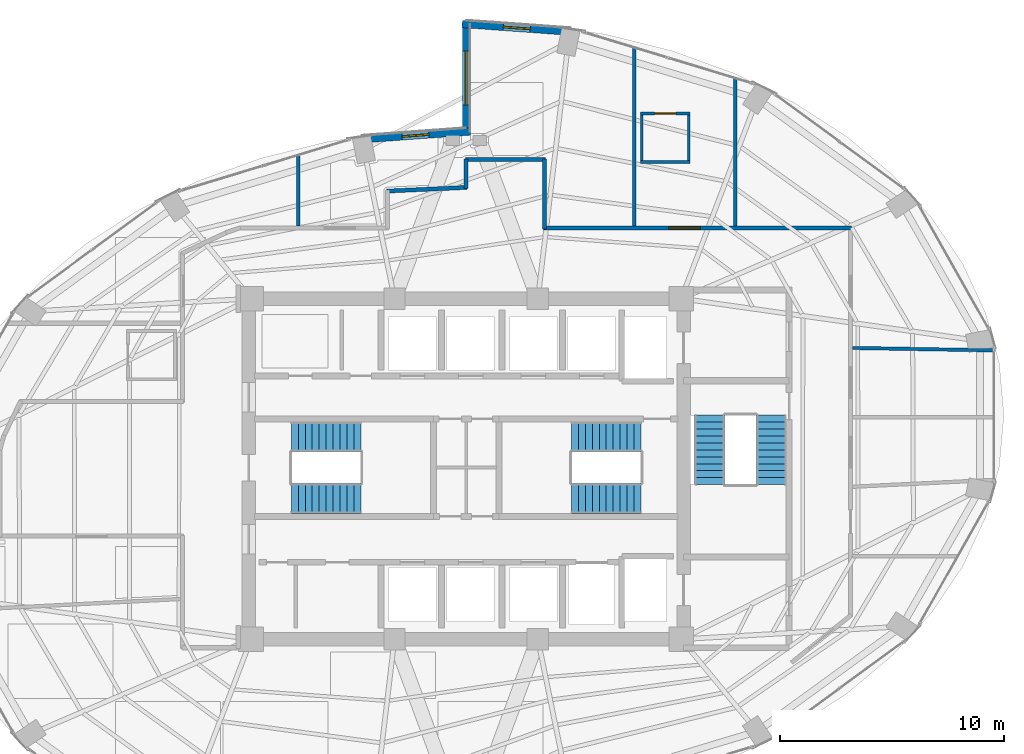
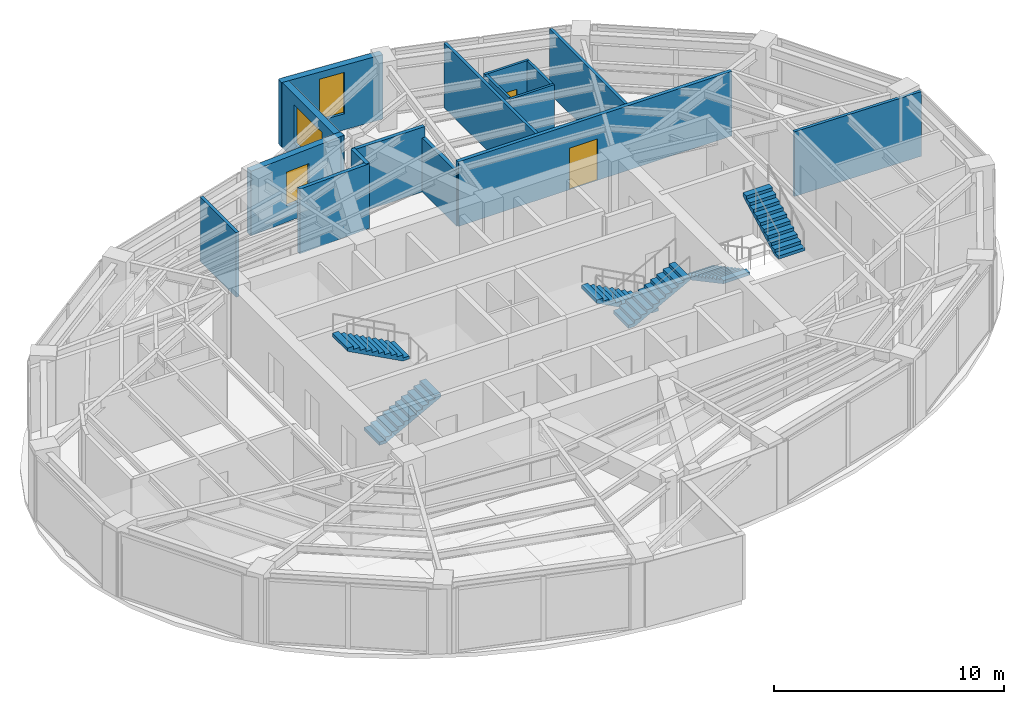
# One storey, part 18 of 20: 16 walls, 6 stair flights, 3 windows, 2 doors, 5 openings, 3 elements without a shape of their own.
"""IFC4 building model written with IfcOpenShell, lengths in metres."""

from ifc_helpers import new_model, si_unit, direction, frame, frame_2d, origin, place, context, subcontext, project, spatial, polyline, rectangle, outline, extrude, material, layer, layer_set, type_object, element, fill, aggregate, save


model = new_model("IFC4")

# Units and contexts
model_context = context("Model", 3, precision=1e-05, world=origin(), true_north=direction((0.0, 1.0)))
body_context = subcontext(model_context, "Body", "Model", "MODEL_VIEW")
ifc_project = project(units=[si_unit("LENGTHUNIT", "METRE"), si_unit("AREAUNIT", "SQUARE_METRE"), si_unit("VOLUMEUNIT", "CUBIC_METRE"), si_unit("PLANEANGLEUNIT", "RADIAN"), si_unit("MASSUNIT", "GRAM", prefix="KILO")], contexts=[model_context])

# Site, building, storey
site_placement = place(None, origin())
site = spatial("IfcSite", under=ifc_project, at=site_placement, CompositionType="ELEMENT")
building_placement = place(site_placement, origin())
building = spatial("IfcBuilding", under=site, at=building_placement, Name="Lazwardi Medical Tower", CompositionType="ELEMENT")
storey_placement = place(building_placement, frame((0.0, 0.0, 141.93603515625)))
storey = spatial("IfcBuildingStorey", under=building, at=storey_placement, Name="L36", CompositionType="ELEMENT", Elevation=141.93603515625)

# Walls
ifc_material_1 = material(Name="Fire-rated gypsum board on steel stud", Category="steel")
ifc_layer_1 = layer(ifc_material_1, 0.179931640625)
ifc_layer_set_1 = layer_set([ifc_layer_1], Name="Fire-rated gypsum board on steel stud")
wall_type_1 = type_object("IfcWallType", Name="WL-COR-180", PredefinedType="PARTITIONING", material=ifc_layer_set_1)
wall_1_placement = place(storey_placement, frame((32.4599609375, 40.3974609375, 0.0), z_axis=(0.0, 0.0, 1.0), x_axis=(0.998948498694, 0.045846449783, 0.0)))
element("IfcWall", 1, at=wall_1_placement, inside=storey, type_object=wall_type_1, Name="L36 Corridor partition 8", PredefinedType="PARTITIONING", context=body_context, shape_type="SweptSolid", body=[
    extrude(rectangle(XDim=3.583740234375, YDim=0.179931640625, at=frame_2d((1.7919921875, 0.0))), origin(), (0.0, 0.0, 1.0), 3.427978515625),
])
wall_2_placement = place(storey_placement, frame((36.0, 40.52001953125, 0.0), z_axis=(0.0, 0.0, 1.0), x_axis=(0.0, 1.0, 0.0)))
element("IfcWall", 2, at=wall_2_placement, inside=storey, type_object=wall_type_1, Name="L36 Corridor partition 9", PredefinedType="PARTITIONING", context=body_context, shape_type="SweptSolid", body=[
    extrude(rectangle(XDim=1.320068359375, YDim=0.179931640625, at=frame_2d((0.66015625, 0.0))), origin(), (0.0, 0.0, 1.0), 3.427978515625),
])
wall_3_placement = place(storey_placement, frame((35.9599609375, 41.800048828125, 0.0), z_axis=(0.0, 0.0, 1.0), x_axis=(1.0, 0.0, 0.0)))
element("IfcWall", 3, at=wall_3_placement, inside=storey, type_object=wall_type_1, Name="L36 Corridor partition 10", PredefinedType="PARTITIONING", context=body_context, shape_type="SweptSolid", body=[
    extrude(rectangle(XDim=3.580078125, YDim=0.179931640625, at=frame_2d((1.7900390625, 0.0))), origin(), (0.0, 0.0, 1.0), 3.427978515625),
])
wall_4_placement = place(storey_placement, frame((39.5, 41.840087890625, 0.0), z_axis=(0.0, 0.0, 1.0), x_axis=(0.0, -1.0, 0.0)))
element("IfcWall", 4, at=wall_4_placement, inside=storey, type_object=wall_type_1, Name="L36 Corridor partition 11", PredefinedType="PARTITIONING", context=body_context, shape_type="SweptSolid", body=[
    extrude(rectangle(XDim=3.130126953125, YDim=0.179931640625, at=frame_2d((1.56494140625, 0.0))), origin(), (0.0, 0.0, 1.0), 2.863037109375),
])

# Wall, opening, door
wall_5_placement = place(storey_placement, frame((39.4599609375, 38.75, 0.0), z_axis=(0.0, 0.0, 1.0), x_axis=(1.0, 0.0, 0.0)))
wall_5 = element("IfcWall", 5, at=wall_5_placement, inside=storey, type_object=wall_type_1, Name="L36 Corridor partition 12", PredefinedType="PARTITIONING", context=body_context, shape_type="SweptSolid", body=[
    extrude(rectangle(XDim=13.72998046875, YDim=0.179931640625, at=frame_2d((6.864990234375, 0.0))), origin(), (0.0, 0.0, 1.0), 3.427978515625),
])
opening_1_placement = place(wall_5_placement, frame((5.590087890625, 0.0, 0.0)))
opening_1 = element("IfcOpeningElement", 6, at=opening_1_placement, cuts=wall_5, Name="Opening D-L36-021", PredefinedType="OPENING", context=body_context, shape_type="SweptSolid", body=[
    extrude(rectangle(XDim=1.39990234375, YDim=2.199951171875, at=frame_2d((0.699951171875, 1.10009765625))), frame((0.0, 0.099853515625, 0.0), z_axis=(0.0, -1.0, 0.0), x_axis=(1.0, 0.0, 0.0)), (0.0, 0.0, 1.0), 0.199951171875),
])
ifc_material_2 = material(Name="Anti-microbial laminate hospital leaf")
door_type_1 = type_object("IfcDoorType", Name="DR-BED-1400", OperationType="NOTDEFINED", PredefinedType="DOOR", material=ifc_material_2)
door_1_placement = place(opening_1_placement, origin())
door_1 = element("IfcDoor", 7, at=door_1_placement, inside=storey, type_object=door_type_1, Name="L36 Patient Bedroom Door 07", OperationType="SINGLE_SWING_LEFT", OverallHeight=2.199951171875, OverallWidth=1.39990234375, PredefinedType="DOOR", context=body_context, shape_type="SweptSolid", body=[
    extrude(rectangle(XDim=1.39990234375, YDim=2.199951171875, at=frame_2d((0.699951171875, 1.10009765625))), frame((0.0, 0.02490234375, 0.0), z_axis=(0.0, -1.0, 0.0), x_axis=(1.0, 0.0, 0.0)), (0.0, 0.0, 1.0), 0.050048828125),
])
fill(opening_1, door_1)

ifc_material_3 = material(Name="Moisture-resistant gypsum board partition")
ifc_layer_2 = layer(ifc_material_3, 0.125)
ifc_layer_set_2 = layer_set([ifc_layer_2], Name="Moisture-resistant gypsum board partition")
wall_type_2 = type_object("IfcWallType", Name="WL-ENS-125", PredefinedType="PARTITIONING", material=ifc_layer_set_2)
wall_6_placement = place(storey_placement, frame((43.77490234375, 43.86083984375, 0.0), z_axis=(0.0, 0.0, 1.0), x_axis=(1.0, 0.0, 0.0)))
wall_6 = element("IfcWall", 8, at=wall_6_placement, inside=storey, type_object=wall_type_2, Name="L36 En-suite wall 7N", PredefinedType="PARTITIONING", context=body_context, shape_type="SweptSolid", body=[
    extrude(rectangle(XDim=2.22021484375, YDim=0.125, at=frame_2d((1.110107421875, 0.0))), origin(), (0.0, 0.0, 1.0), 3.427978515625),
])
opening_2_placement = place(wall_6_placement, frame((0.635009765625, 0.0, 0.0)))
opening_2 = element("IfcOpeningElement", 9, at=opening_2_placement, cuts=wall_6, Name="Opening D-L36-006", PredefinedType="OPENING", context=body_context, shape_type="SweptSolid", body=[
    extrude(rectangle(XDim=0.949951171875, YDim=2.10009765625, at=frame_2d((0.47509765625, 1.050048828125))), frame((0.0, 0.072509765625, 0.0), z_axis=(0.0, -1.0, 0.0), x_axis=(1.0, 0.0, 0.0)), (0.0, 0.0, 1.0), 0.14501953125),
])
ifc_material_4 = material(Name="Moisture-resistant laminate door leaf")
door_type_2 = type_object("IfcDoorType", Name="DR-ENS-950", OperationType="NOTDEFINED", PredefinedType="DOOR", material=ifc_material_4)
door_2_placement = place(opening_2_placement, origin())
door_2 = element("IfcDoor", 10, at=door_2_placement, inside=storey, type_object=door_type_2, Name="L36 En-suite Door 07", OperationType="SINGLE_SWING_RIGHT", OverallHeight=2.10009765625, OverallWidth=0.949951171875, PredefinedType="DOOR", context=body_context, shape_type="SweptSolid", body=[
    extrude(rectangle(XDim=0.949951171875, YDim=2.10009765625, at=frame_2d((0.47509765625, 1.050048828125))), frame((0.0, 0.02490234375, 0.0), z_axis=(0.0, -1.0, 0.0), x_axis=(1.0, 0.0, 0.0)), (0.0, 0.0, 1.0), 0.050048828125),
])
fill(opening_2, door_2)

# Walls
wall_7_placement = place(storey_placement, frame((43.77490234375, 41.70068359375, 0.0), z_axis=(0.0, 0.0, 1.0), x_axis=(1.0, 0.0, 0.0)))
element("IfcWall", 11, at=wall_7_placement, inside=storey, type_object=wall_type_2, Name="L36 En-suite wall 7S", PredefinedType="PARTITIONING", context=body_context, shape_type="SweptSolid", body=[
    extrude(rectangle(XDim=2.22021484375, YDim=0.125, at=frame_2d((1.110107421875, 0.0))), origin(), (0.0, 0.0, 1.0), 3.427978515625),
])
for number, where, z_axis, x_axis, name in (
    (12, (45.93505859375, 41.640869140625, 0.0), (0.0, 0.0, 1.0), (0.0, 1.0, 0.0), "L36 En-suite wall 7E"),
    (13, (43.8349609375, 41.640869140625, 0.0), (0.0, 0.0, 1.0), (0.0, 1.0, 0.0), "L36 En-suite wall 7W"),
):
    element("IfcWall", number, at=place(storey_placement, frame(where, z_axis=z_axis, x_axis=x_axis)), inside=storey, type_object=wall_type_2, Name=name, PredefinedType="PARTITIONING", context=body_context, shape_type="SweptSolid", body=[
        extrude(rectangle(XDim=2.280029296875, YDim=0.125, at=frame_2d((1.14013671875, 0.0))), origin(), (0.0, 0.0, 1.0), 3.427978515625),
    ])

# Wall, opening, window
ifc_material_5 = material(Name="Precast concrete C45/55", Category="concrete")
ifc_layer_3 = layer(ifc_material_5, 0.320068359375)
ifc_layer_set_3 = layer_set([ifc_layer_3], Name="Precast concrete C45/55")
wall_type_3 = type_object("IfcWallType", Name="WL-IWAN-320", PredefinedType="SOLIDWALL", material=ifc_layer_set_3)
wall_8_placement = place(storey_placement, frame((40.700927734375, 47.501220703125, 0.0), z_axis=(0.0, 0.0, 1.0), x_axis=(-0.997415460462, 0.071849838072, 0.0)))
wall_8 = element("IfcWall", 14, at=wall_8_placement, inside=storey, type_object=wall_type_3, Name="L36 Iwan Portal Return Wall NE_ret", PredefinedType="SOLIDWALL", context=body_context, shape_type="SweptSolid", body=[
    extrude(rectangle(XDim=4.89306640625, YDim=0.320068359375, at=frame_2d((2.446533203125, 0.0))), origin(), (0.0, 0.0, 1.0), 3.427978515625),
])
opening_3_placement = place(wall_8_placement, frame((1.846435546875, 0.0, 0.85009765625)))
opening_3 = element("IfcOpeningElement", 15, at=opening_3_placement, cuts=wall_8, Name="Opening WN-01", PredefinedType="OPENING", context=body_context, shape_type="SweptSolid", body=[
    extrude(rectangle(XDim=1.199951171875, YDim=2.199951171875, at=frame_2d((0.60009765625, 1.10009765625))), frame((0.0, 0.169921875, 0.0), z_axis=(0.0, -1.0, 0.0), x_axis=(1.0, 0.0, 0.0)), (0.0, 0.0, 1.0), 0.340087890625),
])
ifc_material_6 = material(Name="Low-e bronze solar control double glazing", Category="glass")
window_type_1 = type_object("IfcWindowType", Name="WIN-IW-1200", PartitioningType="SINGLE_PANEL", PredefinedType="WINDOW", material=ifc_material_6)
window_1_placement = place(opening_3_placement, origin())
window_1 = element("IfcWindow", 16, at=window_1_placement, inside=storey, type_object=window_type_1, Name="L36 Iwan Slot Window NE_ret", OverallHeight=2.199951171875, OverallWidth=1.199951171875, PartitioningType="SINGLE_PANEL", PredefinedType="WINDOW", context=body_context, shape_type="SweptSolid", body=[
    extrude(rectangle(XDim=1.199951171875, YDim=2.199951171875, at=frame_2d((0.60009765625, 1.10009765625))), frame((0.0, 0.030029296875, 0.0), z_axis=(0.0, -1.0, 0.0), x_axis=(1.0, 0.0, 0.0)), (0.0, 0.0, 1.0), 0.06005859375),
])
fill(opening_3, window_1)

wall_9_placement = place(storey_placement, frame((36.17919921875, 43.052978515625, 0.0), z_axis=(0.0, 0.0, 1.0), x_axis=(-0.997415202861, -0.071853413984, 0.0)))
wall_9 = element("IfcWall", 17, at=wall_9_placement, inside=storey, type_object=wall_type_3, Name="L36 Iwan Portal Return Wall NW_ret", PredefinedType="SOLIDWALL", context=body_context, shape_type="SweptSolid", body=[
    extrude(rectangle(XDim=4.892822265625, YDim=0.320068359375, at=frame_2d((2.4462890625, 0.0))), origin(), (0.0, 0.0, 1.0), 3.427978515625),
])
opening_4_placement = place(wall_9_placement, frame((1.84619140625, 0.0, 0.85009765625)))
opening_4 = element("IfcOpeningElement", 18, at=opening_4_placement, cuts=wall_9, Name="Opening WN-04", PredefinedType="OPENING", context=body_context, shape_type="SweptSolid", body=[
    extrude(rectangle(XDim=1.199951171875, YDim=1.800048828125, at=frame_2d((0.60009765625, 0.89990234375))), frame((0.0, 0.169921875, 0.0), z_axis=(0.0, -1.0, 0.0), x_axis=(1.0, 0.0, 0.0)), (0.0, 0.0, 1.0), 0.340087890625),
])
window_type_2 = type_object("IfcWindowType", Name="WIN-DRUM-1200", PartitioningType="SINGLE_PANEL", PredefinedType="WINDOW", material=ifc_material_6)
window_2_placement = place(opening_4_placement, origin())
window_2 = element("IfcWindow", 19, at=window_2_placement, inside=storey, type_object=window_type_2, Name="L36 Iwan Slot Window NW_ret", OverallHeight=1.800048828125, OverallWidth=1.199951171875, PartitioningType="SINGLE_PANEL", PredefinedType="WINDOW", context=body_context, shape_type="SweptSolid", body=[
    extrude(rectangle(XDim=1.199951171875, YDim=1.800048828125, at=frame_2d((0.60009765625, 0.89990234375))), frame((0.0, 0.030029296875, 0.0), z_axis=(0.0, -1.0, 0.0), x_axis=(1.0, 0.0, 0.0)), (0.0, 0.0, 1.0), 0.06005859375),
])
fill(opening_4, window_2)

wall_10_placement = place(storey_placement, frame((36.0, 48.0, 0.0), z_axis=(0.0, 0.0, 1.0), x_axis=(0.0, -1.0, 0.0)))
wall_10 = element("IfcWall", 20, at=wall_10_placement, inside=storey, type_object=wall_type_3, Name="L36 Turquoise Tilework Iwan Seam Wall N_seam", PredefinedType="SOLIDWALL", context=body_context, shape_type="SweptSolid", body=[
    extrude(rectangle(XDim=5.1201171875, YDim=0.320068359375, at=frame_2d((2.56005859375, 0.0))), origin(), (0.0, 0.0, 1.0), 3.427978515625),
])
opening_5_placement = place(wall_10_placement, frame((1.360107421875, 0.0, 0.840087890625)))
opening_5 = element("IfcOpeningElement", 21, at=opening_5_placement, cuts=wall_10, Name="Opening WN-02", PredefinedType="OPENING", context=body_context, shape_type="SweptSolid", body=[
    extrude(rectangle(XDim=2.39990234375, YDim=2.0400390625, at=frame_2d((1.199951171875, 1.02001953125))), frame((0.0, 0.169921875, 0.0), z_axis=(0.0, -1.0, 0.0), x_axis=(1.0, 0.0, 0.0)), (0.0, 0.0, 1.0), 0.340087890625),
])
window_type_3 = type_object("IfcWindowType", Name="WIN-IW-2400", PartitioningType="SINGLE_PANEL", PredefinedType="WINDOW", material=ifc_material_6)
window_3_placement = place(opening_5_placement, origin())
window_3 = element("IfcWindow", 22, at=window_3_placement, inside=storey, type_object=window_type_3, Name="L36 Iwan Seam Window N_seam", OverallHeight=2.0400390625, OverallWidth=2.39990234375, PartitioningType="SINGLE_PANEL", PredefinedType="WINDOW", context=body_context, shape_type="SweptSolid", body=[
    extrude(rectangle(XDim=2.39990234375, YDim=2.0400390625, at=frame_2d((1.199951171875, 1.02001953125))), frame((0.0, 0.030029296875, 0.0), z_axis=(0.0, -1.0, 0.0), x_axis=(1.0, 0.0, 0.0)), (0.0, 0.0, 1.0), 0.06005859375),
])
fill(opening_5, window_3)

# Walls
ifc_material_7 = material(Name="Acoustic gypsum board partition")
ifc_layer_4 = layer(ifc_material_7, 0.14990234375)
ifc_layer_set_4 = layer_set([ifc_layer_4], Name="Acoustic gypsum board partition")
wall_type_4 = type_object("IfcWallType", Name="WL-WRD-150", PredefinedType="PARTITIONING", material=ifc_layer_set_4)
wall_11_placement = place(storey_placement, frame((53.239990234375, 33.398681640625, 0.0), z_axis=(0.0, 0.0, 1.0), x_axis=(0.999852374284, -0.017182247791, 0.0)))
element("IfcWall", 23, at=wall_11_placement, inside=storey, type_object=wall_type_4, Name="L36 Room partition 6", PredefinedType="PARTITIONING", context=body_context, shape_type="SweptSolid", body=[
    extrude(rectangle(XDim=6.322998046875, YDim=0.14990234375, at=frame_2d((3.16162109375, 0.0))), origin(), (0.0, 0.0, 1.0), 3.427978515625),
])
wall_12_placement = place(storey_placement, frame((28.5, 38.840087890625, 0.0), z_axis=(0.0, 0.0, 1.0), x_axis=(0.0, 1.0, 0.0)))
element("IfcWall", 24, at=wall_12_placement, inside=storey, type_object=wall_type_4, Name="L36 Room partition 7", PredefinedType="PARTITIONING", context=body_context, shape_type="SweptSolid", body=[
    extrude(rectangle(XDim=3.142578125, YDim=0.14990234375, at=frame_2d((1.5712890625, 0.0))), origin(), (0.0, 0.0, 1.0), 3.427978515625),
])
wall_13_placement = place(storey_placement, frame((43.5, 38.840087890625, 0.0), z_axis=(0.0, 0.0, 1.0), x_axis=(0.0, 1.0, 0.0)))
element("IfcWall", 25, at=wall_13_placement, inside=storey, type_object=wall_type_4, Name="L36 Room partition 8", PredefinedType="PARTITIONING", context=body_context, shape_type="SweptSolid", body=[
    extrude(rectangle(XDim=7.942626953125, YDim=0.14990234375, at=frame_2d((3.97119140625, 0.0))), origin(), (0.0, 0.0, 1.0), 3.427978515625),
])
wall_14_placement = place(storey_placement, frame((48.0, 38.840087890625, 0.0), z_axis=(0.0, 0.0, 1.0), x_axis=(0.0, 1.0, 0.0)))
element("IfcWall", 26, at=wall_14_placement, inside=storey, type_object=wall_type_4, Name="L36 Room partition 9", PredefinedType="PARTITIONING", context=body_context, shape_type="SweptSolid", body=[
    extrude(rectangle(XDim=6.57763671875, YDim=0.14990234375, at=frame_2d((3.288818359375, 0.0))), origin(), (0.0, 0.0, 1.0), 3.427978515625),
])

# Stair, stair flights
ifc_material_8 = material(Name="Concrete C45/55", Category="concrete")
stair_type = type_object("IfcStairType", Name="STR-WRD", PredefinedType="HALF_TURN_STAIR", material=ifc_material_8)
stair_1_placement = place(storey_placement, origin())
stair_1 = element("IfcStair", 27, at=stair_1_placement, inside=storey, type_object=stair_type, Name="L36 Protected Exit Stair ST1", PredefinedType="HALF_TURN_STAIR")
stair_flight_type = type_object("IfcStairFlightType", Name="FLT-WRD", PredefinedType="STRAIGHT", material=ifc_material_8)
stair_flight_1_placement = place(storey_placement, frame((28.199951171875, 26.679931640625, 0.0), z_axis=(0.0, 0.0, 1.0), x_axis=(1.0, 0.0, 0.0)))
stair_flight_1 = element("IfcStairFlight", 28, at=stair_flight_1_placement, type_object=stair_flight_type, Name="ST1 flight 1", NumberOfRisers=11, NumberOfTreads=10, PredefinedType="STRAIGHT", RiserHeight=0.165818182, TreadLength=0.31, context=body_context, shape_type="SweptSolid", body=[
    extrude(outline(polyline([(0.0, 0.0), (0.0, 0.165771484375), (0.31005859375, 0.165771484375), (0.31005859375, 0.33154296875), (0.6201171875, 0.33154296875), (0.6201171875, 0.49755859375), (0.929931640625, 0.49755859375), (0.929931640625, 0.663330078125), (1.239990234375, 0.663330078125), (1.239990234375, 0.8291015625), (1.550048828125, 0.8291015625), (1.550048828125, 0.994873046875), (1.860107421875, 0.994873046875), (1.860107421875, 1.16064453125), (2.169921875, 1.16064453125), (2.169921875, 1.32666015625), (2.47998046875, 1.32666015625), (2.47998046875, 1.492431640625), (2.7900390625, 1.492431640625), (2.7900390625, 1.658203125), (3.10009765625, 1.658203125), (3.10009765625, 1.823974609375), (3.10009765625, 1.48828125), (0.31787109375, 0.0), (0.0, 0.0)])), frame((0.0, 0.66015625, 0.0), z_axis=(0.0, -1.0, 0.0), x_axis=(1.0, 0.0, 0.0)), (0.0, 0.0, 1.0), 1.320068359375),
])
stair_flight_2_placement = place(storey_placement, frame((31.300048828125, 29.43994140625, 1.823974609375), z_axis=(0.0, 0.0, 1.0), x_axis=(-1.0, 0.0, 0.0)))
stair_flight_2 = element("IfcStairFlight", 29, at=stair_flight_2_placement, type_object=stair_flight_type, Name="ST1 flight 2", NumberOfRisers=11, NumberOfTreads=10, PredefinedType="STRAIGHT", RiserHeight=0.165818182, TreadLength=0.31, context=body_context, shape_type="SweptSolid", body=[
    extrude(outline(polyline([(0.0, 0.0), (0.0, 0.165771484375), (0.31005859375, 0.165771484375), (0.31005859375, 0.33154296875), (0.6201171875, 0.33154296875), (0.6201171875, 0.49755859375), (0.929931640625, 0.49755859375), (0.929931640625, 0.663330078125), (1.239990234375, 0.663330078125), (1.239990234375, 0.8291015625), (1.550048828125, 0.8291015625), (1.550048828125, 0.994873046875), (1.860107421875, 0.994873046875), (1.860107421875, 1.16064453125), (2.169921875, 1.16064453125), (2.169921875, 1.32666015625), (2.47998046875, 1.32666015625), (2.47998046875, 1.492431640625), (2.7900390625, 1.492431640625), (2.7900390625, 1.658203125), (3.10009765625, 1.658203125), (3.10009765625, 1.823974609375), (3.10009765625, 1.48828125), (0.31787109375, 0.0), (0.0, 0.0)])), frame((0.0, 0.66015625, 0.0), z_axis=(0.0, -1.0, 0.0), x_axis=(1.0, 0.0, 0.0)), (0.0, 0.0, 1.0), 1.320068359375),
])
aggregate(stair_1, [stair_flight_1, stair_flight_2])

stair_2_placement = place(storey_placement, origin())
stair_2 = element("IfcStair", 30, at=stair_2_placement, inside=storey, type_object=stair_type, Name="L36 Protected Exit Stair ST2", PredefinedType="HALF_TURN_STAIR")
stair_flight_3_placement = place(storey_placement, frame((43.800048828125, 29.43994140625, 0.0), z_axis=(0.0, 0.0, 1.0), x_axis=(-1.0, 0.0, 0.0)))
stair_flight_3 = element("IfcStairFlight", 31, at=stair_flight_3_placement, type_object=stair_flight_type, Name="ST2 flight 1", NumberOfRisers=11, NumberOfTreads=10, PredefinedType="STRAIGHT", RiserHeight=0.165818182, TreadLength=0.31, context=body_context, shape_type="SweptSolid", body=[
    extrude(outline(polyline([(0.0, 0.0), (0.0, 0.165771484375), (0.31005859375, 0.165771484375), (0.31005859375, 0.33154296875), (0.6201171875, 0.33154296875), (0.6201171875, 0.49755859375), (0.929931640625, 0.49755859375), (0.929931640625, 0.663330078125), (1.239990234375, 0.663330078125), (1.239990234375, 0.8291015625), (1.550048828125, 0.8291015625), (1.550048828125, 0.994873046875), (1.860107421875, 0.994873046875), (1.860107421875, 1.16064453125), (2.169921875, 1.16064453125), (2.169921875, 1.32666015625), (2.47998046875, 1.32666015625), (2.47998046875, 1.492431640625), (2.7900390625, 1.492431640625), (2.7900390625, 1.658203125), (3.10009765625, 1.658203125), (3.10009765625, 1.823974609375), (3.10009765625, 1.48828125), (0.31787109375, 0.0), (0.0, 0.0)])), frame((0.0, 0.66015625, 0.0), z_axis=(0.0, -1.0, 0.0), x_axis=(1.0, 0.0, 0.0)), (0.0, 0.0, 1.0), 1.320068359375),
])
stair_flight_4_placement = place(storey_placement, frame((40.699951171875, 26.679931640625, 1.823974609375), z_axis=(0.0, 0.0, 1.0), x_axis=(1.0, 0.0, 0.0)))
stair_flight_4 = element("IfcStairFlight", 32, at=stair_flight_4_placement, type_object=stair_flight_type, Name="ST2 flight 2", NumberOfRisers=11, NumberOfTreads=10, PredefinedType="STRAIGHT", RiserHeight=0.165818182, TreadLength=0.31, context=body_context, shape_type="SweptSolid", body=[
    extrude(outline(polyline([(0.0, 0.0), (0.0, 0.165771484375), (0.31005859375, 0.165771484375), (0.31005859375, 0.33154296875), (0.6201171875, 0.33154296875), (0.6201171875, 0.49755859375), (0.929931640625, 0.49755859375), (0.929931640625, 0.663330078125), (1.239990234375, 0.663330078125), (1.239990234375, 0.8291015625), (1.550048828125, 0.8291015625), (1.550048828125, 0.994873046875), (1.860107421875, 0.994873046875), (1.860107421875, 1.16064453125), (2.169921875, 1.16064453125), (2.169921875, 1.32666015625), (2.47998046875, 1.32666015625), (2.47998046875, 1.492431640625), (2.7900390625, 1.492431640625), (2.7900390625, 1.658203125), (3.10009765625, 1.658203125), (3.10009765625, 1.823974609375), (3.10009765625, 1.48828125), (0.31787109375, 0.0), (0.0, 0.0)])), frame((0.0, 0.66015625, 0.0), z_axis=(0.0, -1.0, 0.0), x_axis=(1.0, 0.0, 0.0)), (0.0, 0.0, 1.0), 1.320068359375),
])
aggregate(stair_2, [stair_flight_3, stair_flight_4])

stair_3_placement = place(storey_placement, origin())
stair_3 = element("IfcStair", 33, at=stair_3_placement, inside=storey, type_object=stair_type, Name="L36 Protected Exit Stair ST3", PredefinedType="HALF_TURN_STAIR")
stair_flight_5_placement = place(storey_placement, frame((46.860107421875, 30.39990234375, 0.0), z_axis=(0.0, 0.0, 1.0), x_axis=(0.0, -1.0, 0.0)))
stair_flight_5 = element("IfcStairFlight", 34, at=stair_flight_5_placement, type_object=stair_flight_type, Name="ST3 flight 1", NumberOfRisers=11, NumberOfTreads=10, PredefinedType="STRAIGHT", RiserHeight=0.165818182, TreadLength=0.31, context=body_context, shape_type="SweptSolid", body=[
    extrude(outline(polyline([(0.0, 0.0), (0.0, 0.165771484375), (0.31005859375, 0.165771484375), (0.31005859375, 0.33154296875), (0.6201171875, 0.33154296875), (0.6201171875, 0.49755859375), (0.929931640625, 0.49755859375), (0.929931640625, 0.663330078125), (1.239990234375, 0.663330078125), (1.239990234375, 0.8291015625), (1.550048828125, 0.8291015625), (1.550048828125, 0.994873046875), (1.860107421875, 0.994873046875), (1.860107421875, 1.16064453125), (2.169921875, 1.16064453125), (2.169921875, 1.32666015625), (2.47998046875, 1.32666015625), (2.47998046875, 1.492431640625), (2.7900390625, 1.492431640625), (2.7900390625, 1.658203125), (3.10009765625, 1.658203125), (3.10009765625, 1.823974609375), (3.10009765625, 1.48828125), (0.31787109375, 0.0), (0.0, 0.0)])), frame((0.0, 0.66015625, 0.0), z_axis=(0.0, -1.0, 0.0), x_axis=(1.0, 0.0, 0.0)), (0.0, 0.0, 1.0), 1.320068359375),
])
stair_flight_6_placement = place(storey_placement, frame((49.6201171875, 27.300048828125, 1.823974609375), z_axis=(0.0, 0.0, 1.0), x_axis=(0.0, 1.0, 0.0)))
stair_flight_6 = element("IfcStairFlight", 35, at=stair_flight_6_placement, type_object=stair_flight_type, Name="ST3 flight 2", NumberOfRisers=11, NumberOfTreads=10, PredefinedType="STRAIGHT", RiserHeight=0.165818182, TreadLength=0.31, context=body_context, shape_type="SweptSolid", body=[
    extrude(outline(polyline([(0.0, 0.0), (0.0, 0.165771484375), (0.31005859375, 0.165771484375), (0.31005859375, 0.33154296875), (0.6201171875, 0.33154296875), (0.6201171875, 0.49755859375), (0.929931640625, 0.49755859375), (0.929931640625, 0.663330078125), (1.239990234375, 0.663330078125), (1.239990234375, 0.8291015625), (1.550048828125, 0.8291015625), (1.550048828125, 0.994873046875), (1.860107421875, 0.994873046875), (1.860107421875, 1.16064453125), (2.169921875, 1.16064453125), (2.169921875, 1.32666015625), (2.47998046875, 1.32666015625), (2.47998046875, 1.492431640625), (2.7900390625, 1.492431640625), (2.7900390625, 1.658203125), (3.10009765625, 1.658203125), (3.10009765625, 1.823974609375), (3.10009765625, 1.48828125), (0.31787109375, 0.0), (0.0, 0.0)])), frame((0.0, 0.66015625, 0.0), z_axis=(0.0, -1.0, 0.0), x_axis=(1.0, 0.0, 0.0)), (0.0, 0.0, 1.0), 1.320068359375),
])
aggregate(stair_3, [stair_flight_5, stair_flight_6])

save(model, "model.ifc")
